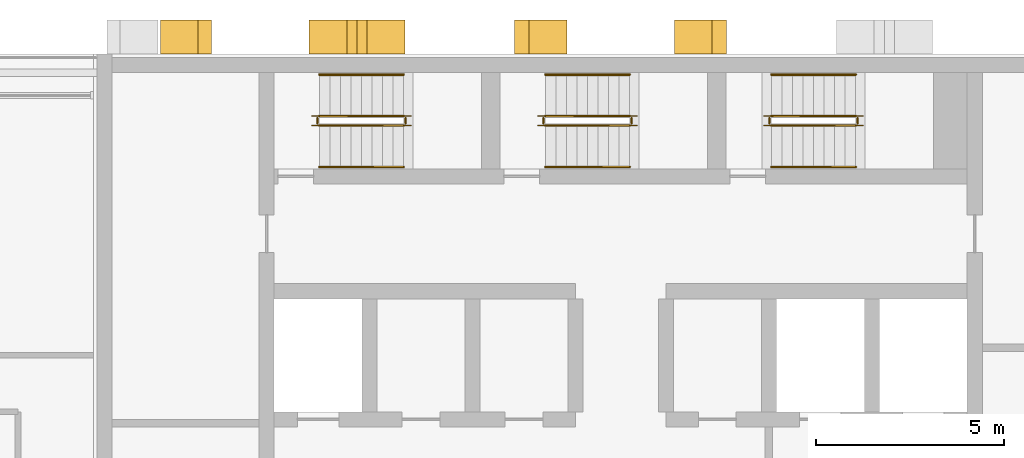
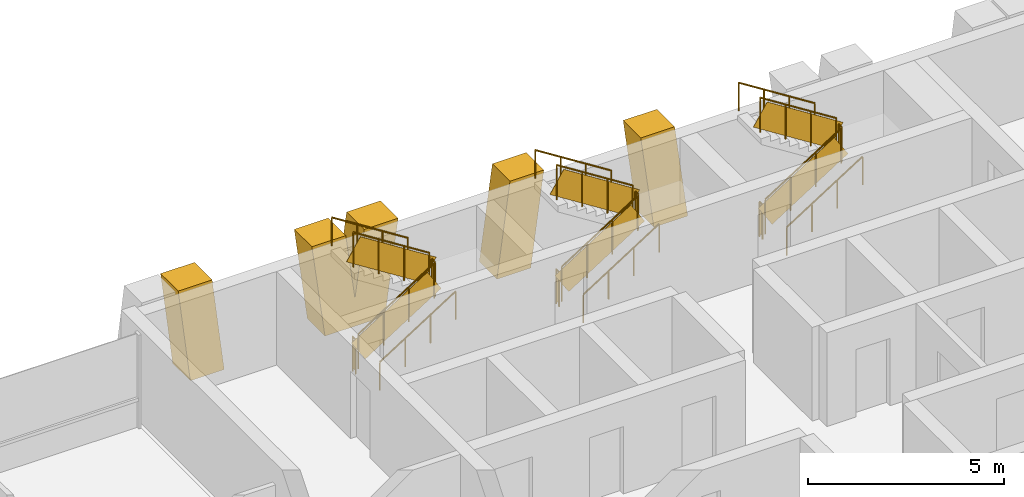
# One storey, part 15 of 16: 18 railings, 4 shading devices.
"""IFC4 building model written with IfcOpenShell, lengths in metres."""

import ifcopenshell
import ifcopenshell.guid

model = None  # the IFC model being written
_history = None  # IfcOwnerHistory: only IFC2X3 demands one
_inside = {}  # id of a spatial element -> (the spatial element, [elements in it])
_under = {}  # id of a project, library or spatial element -> (it, [spatial elements below it])
_declared = {}  # id of a project -> (the project, [libraries it declares])
_typed = {}  # id of a type object -> (the type object, [elements of that type])
_made_of = {}  # id of a material, layer set ... -> (it, [elements and type objects made of it])


def new_model(schema):
    """Start an empty IFC model of exactly this schema.

    Asked for "IFC4X3", IfcOpenShell would pick the latest addendum, in which some entities
    have other attributes; the version numbers below select the first issue.
    IFC2X3 requires an IfcOwnerHistory on every rooted entity: one is made here for all.
    """
    global model, _history
    if schema == "IFC4X3":
        model = ifcopenshell.file(schema_version=(4, 3, 0, 0))
    else:
        model = ifcopenshell.file(schema=schema)
    _inside.clear()
    _under.clear()
    _declared.clear()
    _typed.clear()
    _made_of.clear()
    _history = None
    if model.schema == "IFC2X3":
        org = make("IfcOrganization", Name="unknown")
        user = make(
            "IfcPersonAndOrganization",
            ThePerson=make("IfcPerson", FamilyName="unknown"),
            TheOrganization=org,
        )
        app = make(
            "IfcApplication",
            ApplicationDeveloper=org,
            Version="unknown",
            ApplicationFullName="unknown",
            ApplicationIdentifier="unknown",
        )
        _history = make(
            "IfcOwnerHistory",
            OwningUser=user,
            OwningApplication=app,
            ChangeAction="ADDED",
            CreationDate=0,
        )
    return model


def make(cls, **values):
    """One entity of the class cls with the attributes given. An attribute that is None is left unset."""
    return model.create_entity(
        cls, **{name: value for name, value in values.items() if value is not None}
    )


def rooted(cls, **values):
    """An entity with a GlobalId (a new one), such as an element, a storey or a relation."""
    return make(cls, GlobalId=ifcopenshell.guid.new(), OwnerHistory=_history, **values)


def si_unit(unit_type, name, prefix=None):
    """IfcSIUnit, for example si_unit("LENGTHUNIT", "METRE", prefix="MILLI")."""
    return make("IfcSIUnit", UnitType=unit_type, Prefix=prefix, Name=name)


def assignment(units):
    """IfcUnitAssignment: the units of a project."""
    return None if units is None else make("IfcUnitAssignment", Units=units)


def point(xyz):
    """IfcCartesianPoint."""
    return None if xyz is None else make("IfcCartesianPoint", Coordinates=xyz)


def direction(xyz):
    """IfcDirection."""
    return None if xyz is None else make("IfcDirection", DirectionRatios=xyz)


def frame(location, z_axis=None, x_axis=None):
    """IfcAxis2Placement3D, a coordinate frame: its origin and axes. An axis left out is left unset."""
    return make(
        "IfcAxis2Placement3D",
        Location=point(location),
        Axis=direction(z_axis),
        RefDirection=direction(x_axis),
    )


def frame_2d(location, x_axis=None):
    """IfcAxis2Placement2D, a coordinate frame in the plane: its origin and x axis."""
    return make(
        "IfcAxis2Placement2D", Location=point(location), RefDirection=direction(x_axis)
    )


def origin():
    """The frame at (0, 0, 0) with its axes left unset."""
    return frame((0.0, 0.0, 0.0))


def origin_2d():
    """The frame at (0, 0) in the plane with its x axis left unset."""
    return frame_2d((0.0, 0.0))


def place(relative_to, where):
    """IfcLocalPlacement: puts the frame where relative to a parent placement (None: the world)."""
    return make(
        "IfcLocalPlacement", PlacementRelTo=relative_to, RelativePlacement=where
    )


def context(
    kind, dimensions, precision=None, world=None, true_north=None, identifier=None
):
    """IfcGeometricRepresentationContext, for example the 3D "Model" context."""
    return make(
        "IfcGeometricRepresentationContext",
        ContextIdentifier=identifier,
        ContextType=kind,
        CoordinateSpaceDimension=dimensions,
        Precision=precision,
        WorldCoordinateSystem=world,
        TrueNorth=true_north,
    )


def subcontext(parent, identifier, kind, view, scale=None):
    """IfcGeometricRepresentationSubContext, for example "Body" below "Model"."""
    return make(
        "IfcGeometricRepresentationSubContext",
        ContextIdentifier=identifier,
        ContextType=kind,
        ParentContext=parent,
        TargetScale=scale,
        TargetView=view,
    )


def project(units=None, contexts=None):
    """IfcProject with its units and contexts."""
    return rooted(
        "IfcProject",
        Name="project",
        RepresentationContexts=contexts,
        UnitsInContext=assignment(units),
    )


def spatial(cls, under=None, at=None, **own):
    """A site, building, storey or space (cls), placed at a placement, below another one or the project."""
    s = rooted(cls, ObjectPlacement=at, **own)
    if under is not None:
        _under.setdefault(under.id(), (under, []))[1].append(s)
    return s


def polyline(points):
    """IfcPolyline through the points."""
    return make("IfcPolyline", Points=[point(p) for p in points])


def profile(cls, at=None, kind="AREA", **sizes):
    """A parametric profile (cls). Its sizes go by their IFC names, for example OverallWidth=200.0."""
    return make(cls, ProfileType=kind, Position=at, **sizes)


def rectangle(**sizes):
    """IfcRectangleProfileDef."""
    return profile("IfcRectangleProfileDef", **sizes)


def circle(**sizes):
    """IfcCircleProfileDef."""
    return profile("IfcCircleProfileDef", **sizes)


def outline(outer, holes=None, kind="AREA"):
    """IfcArbitraryClosedProfileDef: a profile drawn as a closed curve; with holes, ...WithVoids."""
    if holes is None:
        return make("IfcArbitraryClosedProfileDef", ProfileType=kind, OuterCurve=outer)
    return make(
        "IfcArbitraryProfileDefWithVoids",
        ProfileType=kind,
        OuterCurve=outer,
        InnerCurves=holes,
    )


def extrude(swept, where, along, depth):
    """IfcExtrudedAreaSolid: the profile swept, set in the frame where, extruded along a direction by depth."""
    return make(
        "IfcExtrudedAreaSolid",
        SweptArea=swept,
        Position=where,
        ExtrudedDirection=direction(along),
        Depth=depth,
    )


def shape(context_of_items, identifier, shape_type, items):
    """IfcShapeRepresentation: the items that make up one representation, for example the "Body"."""
    return make(
        "IfcShapeRepresentation",
        ContextOfItems=context_of_items,
        RepresentationIdentifier=identifier,
        RepresentationType=shape_type,
        Items=items,
    )


def material(Name=None, Category=None):
    """IfcMaterial."""
    return make("IfcMaterial", Name=Name, Category=Category)


def layer(
    of_material, thickness, ventilated=None, Name=None, Category=None, Priority=None
):
    """IfcMaterialLayer: one layer of a wall or slab, of a material (None: an air gap)."""
    return make(
        "IfcMaterialLayer",
        Material=of_material,
        LayerThickness=thickness,
        IsVentilated=ventilated,
        Name=Name,
        Category=Category,
        Priority=Priority,
    )


def layer_set(layers, Name=None):
    """IfcMaterialLayerSet."""
    return make("IfcMaterialLayerSet", MaterialLayers=layers, LayerSetName=Name)


def made_of(thing, what):
    """Note that an element or type object is made of a material, layer set ...; save() writes the relation."""
    if what is not None:
        _made_of.setdefault(what.id(), (what, []))[1].append(thing)
    return thing


def type_object(cls, material=None, **own):
    """A type object (cls), such as IfcWallType, which elements share."""
    return made_of(rooted(cls, **own), material)


def element(
    cls,
    number,
    at=None,
    inside=None,
    cuts=None,
    type_object=None,
    material=None,
    context=None,
    identifier="Body",
    shape_type=None,
    held_by="IfcProductDefinitionShape",
    body=None,
    shapes=None,
    **own,
):
    """One element of the class cls, such as IfcWall. Its Tag is "e" and its number.

    at: its placement. inside: the storey or other place that contains it. cuts: it is an
    opening in that element (IfcRelVoidsElement). A single representation is given by context,
    identifier, shape_type and body (its items); several are given by shapes. held_by: the class
    of the entity that holds the representations. save() writes the other relations.
    """
    e = rooted(cls, Tag="e%d" % number, ObjectPlacement=at, **own)
    if body is not None:
        shapes = [shape(context, identifier, shape_type, body)]
    if shapes is not None:
        e.Representation = make(held_by, Representations=shapes)
    if inside is not None:
        _inside.setdefault(inside.id(), (inside, []))[1].append(e)
    if cuts is not None:
        rooted(
            "IfcRelVoidsElement", RelatingBuildingElement=cuts, RelatedOpeningElement=e
        )
    if type_object is not None:
        _typed.setdefault(type_object.id(), (type_object, []))[1].append(e)
    return made_of(e, material)


def aggregate(whole, parts):
    """IfcRelAggregates: a whole, such as a stair, and the parts it consists of."""
    return rooted("IfcRelAggregates", RelatingObject=whole, RelatedObjects=parts)


def save(model, path):
    """Write the relations noted so far, then the file.

    IfcRelAggregates (storeys below a building ...), IfcRelContainedInSpatialStructure (elements
    in a storey), IfcRelDefinesByType, IfcRelAssociatesMaterial and IfcRelDeclares: one each for
    every whole, place, type object, material and project.
    """
    for whole, parts in _under.values():
        aggregate(whole, parts)
    for where, things in _inside.values():
        rooted(
            "IfcRelContainedInSpatialStructure",
            RelatedElements=things,
            RelatingStructure=where,
        )
    for kind, things in _typed.values():
        rooted("IfcRelDefinesByType", RelatedObjects=things, RelatingType=kind)
    for what, things in _made_of.values():
        rooted("IfcRelAssociatesMaterial", RelatedObjects=things, RelatingMaterial=what)
    for by, libraries in _declared.values():
        rooted("IfcRelDeclares", RelatingContext=by, RelatedDefinitions=libraries)
    model.write(path)


model = new_model("IFC4")

# Units and contexts
model_context = context("Model", 3, precision=1e-05, world=origin(), true_north=direction((0.0, 1.0)))
body_context = subcontext(model_context, "Body", "Model", "MODEL_VIEW")
ifc_project = project(units=[si_unit("LENGTHUNIT", "METRE"), si_unit("AREAUNIT", "SQUARE_METRE"), si_unit("VOLUMEUNIT", "CUBIC_METRE"), si_unit("PLANEANGLEUNIT", "RADIAN"), si_unit("MASSUNIT", "GRAM", prefix="KILO")], contexts=[model_context])

# Site, building, storey
site_placement = place(None, origin())
site = spatial("IfcSite", under=ifc_project, at=site_placement, CompositionType="ELEMENT")
building_placement = place(site_placement, origin())
building = spatial("IfcBuilding", under=site, at=building_placement, Name="Vidyagriha Tower", CompositionType="ELEMENT")
storey_placement = place(building_placement, frame((0.0, 0.0, 168.5)))
storey = spatial("IfcBuildingStorey", under=building, at=storey_placement, Name="L43", CompositionType="ELEMENT", Elevation=168.5)

# Shading devices
ifc_material_1 = material(Name="Precast concrete C40/50 with brick facing", Category="concrete")
ifc_layer_1 = layer(ifc_material_1, 1.0)
ifc_layer_set_1 = layer_set([ifc_layer_1], Name="Precast concrete C40/50 with brick facing")
shading_device_type_1 = type_object("IfcShadingDeviceType", Name="Brick-faced rear rib arm leaning 8 degrees", PredefinedType="USERDEFINED", material=ifc_layer_set_1)
shading_device_1_placement = place(storey_placement, frame((2.814208984375, 20.449951171875, 0.0), z_axis=(0.0, 0.0, 1.0), x_axis=(-1.0, 0.0, 0.0)))
element("IfcShadingDevice", 1, at=shading_device_1_placement, inside=storey, type_object=shading_device_type_1, Name="Rear rib arm L43 R08.3a", ObjectType="BLADE FIN", PredefinedType="USERDEFINED", context=body_context, shape_type="SweptSolid", body=[
    extrude(outline(polyline([(0.0, 0.0), (1.0, 0.0), (1.3857421875, 2.919921875), (0.3857421875, 2.919921875), (0.0, 0.0)])), frame((0.0, 0.449951171875, 0.0), z_axis=(0.0, -1.0, 0.0), x_axis=(1.0, 0.0, 0.0)), (0.0, 0.0, 1.0), 0.89990234375),
])
shading_device_2_placement = place(storey_placement, frame((-1.4287109375, 20.449951171875, 0.0), z_axis=(0.0, 0.0, 1.0), x_axis=(-1.0, 0.0, 0.0)))
element("IfcShadingDevice", 2, at=shading_device_2_placement, inside=storey, type_object=shading_device_type_1, Name="Rear rib arm L43 R08.3b", ObjectType="BLADE FIN", PredefinedType="USERDEFINED", context=body_context, shape_type="SweptSolid", body=[
    extrude(outline(polyline([(0.3857421875, 0.0), (1.3857421875, 0.0), (1.0, 2.919921875), (0.0, 2.919921875), (0.3857421875, 0.0)])), frame((0.0, 0.449951171875, 0.0), z_axis=(0.0, -1.0, 0.0), x_axis=(1.0, 0.0, 0.0)), (0.0, 0.0, 1.0), 0.89990234375),
])
shading_device_3_placement = place(storey_placement, frame((-10.857177734375, 20.449951171875, 0.0), z_axis=(0.0, 0.0, 1.0), x_axis=(-1.0, 0.0, 0.0)))
element("IfcShadingDevice", 3, at=shading_device_3_placement, inside=storey, type_object=shading_device_type_1, Name="Rear rib arm L43 R08.5a", ObjectType="BLADE FIN", PredefinedType="USERDEFINED", context=body_context, shape_type="SweptSolid", body=[
    extrude(outline(polyline([(0.0, 0.0), (1.0, 0.0), (1.357177734375, 2.919921875), (0.357177734375, 2.919921875), (0.0, 0.0)])), frame((0.0, 0.449951171875, 0.0), z_axis=(0.0, -1.0, 0.0), x_axis=(1.0, 0.0, 0.0)), (0.0, 0.0, 1.0), 0.89990234375),
])
ifc_material_2 = material(Name="Precast concrete C40/50 with brick facing", Category="concrete")
ifc_layer_2 = layer(ifc_material_2, 1.0)
ifc_layer_set_2 = layer_set([ifc_layer_2], Name="Precast concrete C40/50 with brick facing")
shading_device_type_2 = type_object("IfcShadingDeviceType", Name="Brick-faced rear rib forking 8 degrees", PredefinedType="USERDEFINED", material=ifc_layer_set_2)
shading_device_4_placement = place(storey_placement, frame((-5.728515625, 20.449951171875, 0.0), z_axis=(0.0, 0.0, 1.0), x_axis=(-1.0, 0.0, 0.0)))
element("IfcShadingDevice", 4, at=shading_device_4_placement, inside=storey, type_object=shading_device_type_2, Name="Rear rib fork L43 R08.4a", ObjectType="BLADE FIN", PredefinedType="USERDEFINED", context=body_context, shape_type="SweptSolid", body=[
    extrude(outline(polyline([(0.3857421875, 0.0), (2.156982421875, 0.0), (2.542724609375, 2.919921875), (1.542724609375, 2.919921875), (1.271484375, 0.865234375), (1.0, 2.919921875), (0.0, 2.919921875), (0.3857421875, 0.0)])), frame((0.0, 0.449951171875, 0.0), z_axis=(0.0, -1.0, 0.0), x_axis=(1.0, 0.0, 0.0)), (0.0, 0.0, 1.0), 0.89990234375),
])

# Railings
ifc_material_3 = material(Name="Steel ASTM A500 Grade C", Category="steel")
railing_type_1 = type_object("IfcRailingType", Name="Stair guard 1100 mm, steel balustrade", PredefinedType="GUARDRAIL", material=ifc_material_3)
railing_1_placement = place(storey_placement, frame((-8.0, 18.10009765625, 0.177734375)))
element("IfcRailing", 5, at=railing_1_placement, inside=storey, type_object=railing_type_1, Name="L43 ST1 stair guard 1", PredefinedType="GUARDRAIL", context=body_context, shape_type="SweptSolid", body=[
    extrude(circle(Radius=0.02392578125, at=origin_2d()), frame((0.0, 0.0, 1.076171875), z_axis=(0.84418770128, 0.0, 0.536047689118), x_axis=(0.0, 1.0, 0.0)), (0.0, 0.0, 1.0), 2.6533203125),
    extrude(circle(Radius=0.02099609375, at=origin_2d()), origin(), (0.0, 0.0, 1.0), 1.052001953125),
    extrude(circle(Radius=0.02099609375, at=origin_2d()), frame((0.74658203125, 0.0, 0.47412109375)), (0.0, 0.0, 1.0), 1.052001953125),
    extrude(circle(Radius=0.02099609375, at=origin_2d()), frame((1.493408203125, 0.0, 0.9482421875)), (0.0, 0.0, 1.0), 1.052001953125),
    extrude(circle(Radius=0.02099609375, at=origin_2d()), frame((2.239990234375, 0.0, 1.42236328125)), (0.0, 0.0, 1.0), 1.052001953125),
    extrude(rectangle(XDim=0.010009765625, YDim=0.761474609375, at=origin_2d()), frame((0.0, 0.0, 0.551025390625), z_axis=(0.84418770128, 0.0, 0.536047689118), x_axis=(0.0, 1.0, 0.0)), (0.0, 0.0, 1.0), 2.6533203125),
])
railing_2_placement = place(storey_placement, frame((-5.7099609375, 18.14990234375, 1.60009765625)))
element("IfcRailing", 6, at=railing_2_placement, inside=storey, type_object=railing_type_1, Name="L43 ST1 stair guard 2", PredefinedType="GUARDRAIL", context=body_context, shape_type="SweptSolid", body=[
    extrude(circle(Radius=0.02392578125, at=origin_2d()), frame((0.0, 0.0, 1.076171875), z_axis=(0.0, 1.0, 0.0), x_axis=(-1.0, 0.0, 0.0)), (0.0, 0.0, 1.0), 0.150146484375),
    extrude(circle(Radius=0.02099609375, at=origin_2d()), origin(), (0.0, 0.0, 1.0), 1.052001953125),
    extrude(circle(Radius=0.02099609375, at=origin_2d()), frame((0.0, 0.150146484375, 0.0)), (0.0, 0.0, 1.0), 1.052001953125),
    extrude(rectangle(XDim=0.010009765625, YDim=0.902099609375, at=origin_2d()), frame((0.0, 0.0, 0.551025390625), z_axis=(0.0, 1.0, 0.0), x_axis=(-1.0, 0.0, 0.0)), (0.0, 0.0, 1.0), 0.150146484375),
])
railing_3_placement = place(storey_placement, frame((-5.760009765625, 18.35009765625, 1.77783203125)))
element("IfcRailing", 7, at=railing_3_placement, inside=storey, type_object=railing_type_1, Name="L43 ST1 stair guard 3", PredefinedType="GUARDRAIL", context=body_context, shape_type="SweptSolid", body=[
    extrude(circle(Radius=0.02392578125, at=origin_2d()), frame((0.0, 0.0, 1.076171875), z_axis=(-0.8442293374, 0.0, 0.53598211339), x_axis=(0.0, -1.0, 0.0)), (0.0, 0.0, 1.0), 2.6533203125),
    extrude(circle(Radius=0.02099609375, at=origin_2d()), origin(), (0.0, 0.0, 1.0), 1.052001953125),
    extrude(circle(Radius=0.02099609375, at=origin_2d()), frame((-0.74658203125, 0.0, 0.47412109375)), (0.0, 0.0, 1.0), 1.052001953125),
    extrude(circle(Radius=0.02099609375, at=origin_2d()), frame((-1.493408203125, 0.0, 0.947998046875)), (0.0, 0.0, 1.0), 1.052001953125),
    extrude(circle(Radius=0.02099609375, at=origin_2d()), frame((-2.239990234375, 0.0, 1.422119140625)), (0.0, 0.0, 1.0), 1.052001953125),
    extrude(rectangle(XDim=0.010009765625, YDim=0.761474609375, at=origin_2d()), frame((0.0, 0.0, 0.551025390625), z_axis=(-0.8442293374, 0.0, 0.53598211339), x_axis=(0.0, -1.0, 0.0)), (0.0, 0.0, 1.0), 2.6533203125),
])
railing_4_placement = place(storey_placement, frame((-8.050048828125, 18.14990234375, 0.0)))
element("IfcRailing", 8, at=railing_4_placement, inside=storey, type_object=railing_type_1, Name="L43 ST1 stair guard 4", PredefinedType="GUARDRAIL", context=body_context, shape_type="SweptSolid", body=[
    extrude(circle(Radius=0.02392578125, at=origin_2d()), frame((0.0, 0.0, 1.076171875), z_axis=(0.0, 1.0, 0.0), x_axis=(-1.0, 0.0, 0.0)), (0.0, 0.0, 1.0), 0.150146484375),
    extrude(circle(Radius=0.02099609375, at=origin_2d()), origin(), (0.0, 0.0, 1.0), 1.052001953125),
    extrude(circle(Radius=0.02099609375, at=origin_2d()), frame((0.0, 0.150146484375, 0.0)), (0.0, 0.0, 1.0), 1.052001953125),
    extrude(rectangle(XDim=0.010009765625, YDim=0.902099609375, at=origin_2d()), frame((0.0, 0.0, 0.551025390625), z_axis=(0.0, 1.0, 0.0), x_axis=(-1.0, 0.0, 0.0)), (0.0, 0.0, 1.0), 0.150146484375),
])
railing_5_placement = place(storey_placement, frame((-2.0, 18.10009765625, 0.177734375)))
element("IfcRailing", 9, at=railing_5_placement, inside=storey, type_object=railing_type_1, Name="L43 ST2 stair guard 1", PredefinedType="GUARDRAIL", context=body_context, shape_type="SweptSolid", body=[
    extrude(circle(Radius=0.02392578125, at=origin_2d()), frame((0.0, 0.0, 1.076171875), z_axis=(0.84418770128, 0.0, 0.536047689118), x_axis=(0.0, 1.0, 0.0)), (0.0, 0.0, 1.0), 2.6533203125),
    extrude(circle(Radius=0.02099609375, at=origin_2d()), origin(), (0.0, 0.0, 1.0), 1.052001953125),
    extrude(circle(Radius=0.02099609375, at=origin_2d()), frame((0.74658203125, 0.0, 0.47412109375)), (0.0, 0.0, 1.0), 1.052001953125),
    extrude(circle(Radius=0.02099609375, at=origin_2d()), frame((1.493408203125, 0.0, 0.9482421875)), (0.0, 0.0, 1.0), 1.052001953125),
    extrude(circle(Radius=0.02099609375, at=origin_2d()), frame((2.239990234375, 0.0, 1.42236328125)), (0.0, 0.0, 1.0), 1.052001953125),
    extrude(rectangle(XDim=0.010009765625, YDim=0.761474609375, at=origin_2d()), frame((0.0, 0.0, 0.551025390625), z_axis=(0.84418770128, 0.0, 0.536047689118), x_axis=(0.0, 1.0, 0.0)), (0.0, 0.0, 1.0), 2.6533203125),
])
railing_6_placement = place(storey_placement, frame((0.2900390625, 18.14990234375, 1.60009765625)))
element("IfcRailing", 10, at=railing_6_placement, inside=storey, type_object=railing_type_1, Name="L43 ST2 stair guard 2", PredefinedType="GUARDRAIL", context=body_context, shape_type="SweptSolid", body=[
    extrude(circle(Radius=0.02392578125, at=origin_2d()), frame((0.0, 0.0, 1.076171875), z_axis=(0.0, 1.0, 0.0), x_axis=(-1.0, 0.0, 0.0)), (0.0, 0.0, 1.0), 0.150146484375),
    extrude(circle(Radius=0.02099609375, at=origin_2d()), origin(), (0.0, 0.0, 1.0), 1.052001953125),
    extrude(circle(Radius=0.02099609375, at=origin_2d()), frame((0.0, 0.150146484375, 0.0)), (0.0, 0.0, 1.0), 1.052001953125),
    extrude(rectangle(XDim=0.010009765625, YDim=0.902099609375, at=origin_2d()), frame((0.0, 0.0, 0.551025390625), z_axis=(0.0, 1.0, 0.0), x_axis=(-1.0, 0.0, 0.0)), (0.0, 0.0, 1.0), 0.150146484375),
])
railing_7_placement = place(storey_placement, frame((0.239990234375, 18.35009765625, 1.77783203125)))
element("IfcRailing", 11, at=railing_7_placement, inside=storey, type_object=railing_type_1, Name="L43 ST2 stair guard 3", PredefinedType="GUARDRAIL", context=body_context, shape_type="SweptSolid", body=[
    extrude(circle(Radius=0.02392578125, at=origin_2d()), frame((0.0, 0.0, 1.076171875), z_axis=(-0.8442293374, 0.0, 0.53598211339), x_axis=(0.0, -1.0, 0.0)), (0.0, 0.0, 1.0), 2.6533203125),
    extrude(circle(Radius=0.02099609375, at=origin_2d()), origin(), (0.0, 0.0, 1.0), 1.052001953125),
    extrude(circle(Radius=0.02099609375, at=origin_2d()), frame((-0.74658203125, 0.0, 0.47412109375)), (0.0, 0.0, 1.0), 1.052001953125),
    extrude(circle(Radius=0.02099609375, at=origin_2d()), frame((-1.493408203125, 0.0, 0.947998046875)), (0.0, 0.0, 1.0), 1.052001953125),
    extrude(circle(Radius=0.02099609375, at=origin_2d()), frame((-2.239990234375, 0.0, 1.422119140625)), (0.0, 0.0, 1.0), 1.052001953125),
    extrude(rectangle(XDim=0.010009765625, YDim=0.761474609375, at=origin_2d()), frame((0.0, 0.0, 0.551025390625), z_axis=(-0.8442293374, 0.0, 0.53598211339), x_axis=(0.0, -1.0, 0.0)), (0.0, 0.0, 1.0), 2.6533203125),
])
railing_8_placement = place(storey_placement, frame((-2.050048828125, 18.14990234375, 0.0)))
element("IfcRailing", 12, at=railing_8_placement, inside=storey, type_object=railing_type_1, Name="L43 ST2 stair guard 4", PredefinedType="GUARDRAIL", context=body_context, shape_type="SweptSolid", body=[
    extrude(circle(Radius=0.02392578125, at=origin_2d()), frame((0.0, 0.0, 1.076171875), z_axis=(0.0, 1.0, 0.0), x_axis=(-1.0, 0.0, 0.0)), (0.0, 0.0, 1.0), 0.150146484375),
    extrude(circle(Radius=0.02099609375, at=origin_2d()), origin(), (0.0, 0.0, 1.0), 1.052001953125),
    extrude(circle(Radius=0.02099609375, at=origin_2d()), frame((0.0, 0.150146484375, 0.0)), (0.0, 0.0, 1.0), 1.052001953125),
    extrude(rectangle(XDim=0.010009765625, YDim=0.902099609375, at=origin_2d()), frame((0.0, 0.0, 0.551025390625), z_axis=(0.0, 1.0, 0.0), x_axis=(-1.0, 0.0, 0.0)), (0.0, 0.0, 1.0), 0.150146484375),
])
railing_9_placement = place(storey_placement, frame((4.0, 18.10009765625, 0.177734375)))
element("IfcRailing", 13, at=railing_9_placement, inside=storey, type_object=railing_type_1, Name="L43 ST3 stair guard 1", PredefinedType="GUARDRAIL", context=body_context, shape_type="SweptSolid", body=[
    extrude(circle(Radius=0.02392578125, at=origin_2d()), frame((0.0, 0.0, 1.076171875), z_axis=(0.84418770128, 0.0, 0.536047689118), x_axis=(0.0, 1.0, 0.0)), (0.0, 0.0, 1.0), 2.6533203125),
    extrude(circle(Radius=0.02099609375, at=origin_2d()), origin(), (0.0, 0.0, 1.0), 1.052001953125),
    extrude(circle(Radius=0.02099609375, at=origin_2d()), frame((0.74658203125, 0.0, 0.47412109375)), (0.0, 0.0, 1.0), 1.052001953125),
    extrude(circle(Radius=0.02099609375, at=origin_2d()), frame((1.493408203125, 0.0, 0.9482421875)), (0.0, 0.0, 1.0), 1.052001953125),
    extrude(circle(Radius=0.02099609375, at=origin_2d()), frame((2.239990234375, 0.0, 1.42236328125)), (0.0, 0.0, 1.0), 1.052001953125),
    extrude(rectangle(XDim=0.010009765625, YDim=0.761474609375, at=origin_2d()), frame((0.0, 0.0, 0.551025390625), z_axis=(0.84418770128, 0.0, 0.536047689118), x_axis=(0.0, 1.0, 0.0)), (0.0, 0.0, 1.0), 2.6533203125),
])
railing_10_placement = place(storey_placement, frame((6.2900390625, 18.14990234375, 1.60009765625)))
element("IfcRailing", 14, at=railing_10_placement, inside=storey, type_object=railing_type_1, Name="L43 ST3 stair guard 2", PredefinedType="GUARDRAIL", context=body_context, shape_type="SweptSolid", body=[
    extrude(circle(Radius=0.02392578125, at=origin_2d()), frame((0.0, 0.0, 1.076171875), z_axis=(0.0, 1.0, 0.0), x_axis=(-1.0, 0.0, 0.0)), (0.0, 0.0, 1.0), 0.150146484375),
    extrude(circle(Radius=0.02099609375, at=origin_2d()), origin(), (0.0, 0.0, 1.0), 1.052001953125),
    extrude(circle(Radius=0.02099609375, at=origin_2d()), frame((0.0, 0.150146484375, 0.0)), (0.0, 0.0, 1.0), 1.052001953125),
    extrude(rectangle(XDim=0.010009765625, YDim=0.902099609375, at=origin_2d()), frame((0.0, 0.0, 0.551025390625), z_axis=(0.0, 1.0, 0.0), x_axis=(-1.0, 0.0, 0.0)), (0.0, 0.0, 1.0), 0.150146484375),
])
railing_11_placement = place(storey_placement, frame((6.239990234375, 18.35009765625, 1.77783203125)))
element("IfcRailing", 15, at=railing_11_placement, inside=storey, type_object=railing_type_1, Name="L43 ST3 stair guard 3", PredefinedType="GUARDRAIL", context=body_context, shape_type="SweptSolid", body=[
    extrude(circle(Radius=0.02392578125, at=origin_2d()), frame((0.0, 0.0, 1.076171875), z_axis=(-0.8442293374, 0.0, 0.53598211339), x_axis=(0.0, -1.0, 0.0)), (0.0, 0.0, 1.0), 2.6533203125),
    extrude(circle(Radius=0.02099609375, at=origin_2d()), origin(), (0.0, 0.0, 1.0), 1.052001953125),
    extrude(circle(Radius=0.02099609375, at=origin_2d()), frame((-0.74658203125, 0.0, 0.47412109375)), (0.0, 0.0, 1.0), 1.052001953125),
    extrude(circle(Radius=0.02099609375, at=origin_2d()), frame((-1.493408203125, 0.0, 0.947998046875)), (0.0, 0.0, 1.0), 1.052001953125),
    extrude(circle(Radius=0.02099609375, at=origin_2d()), frame((-2.239990234375, 0.0, 1.422119140625)), (0.0, 0.0, 1.0), 1.052001953125),
    extrude(rectangle(XDim=0.010009765625, YDim=0.761474609375, at=origin_2d()), frame((0.0, 0.0, 0.551025390625), z_axis=(-0.8442293374, 0.0, 0.53598211339), x_axis=(0.0, -1.0, 0.0)), (0.0, 0.0, 1.0), 2.6533203125),
])
railing_12_placement = place(storey_placement, frame((3.949951171875, 18.14990234375, 0.0)))
element("IfcRailing", 16, at=railing_12_placement, inside=storey, type_object=railing_type_1, Name="L43 ST3 stair guard 4", PredefinedType="GUARDRAIL", context=body_context, shape_type="SweptSolid", body=[
    extrude(circle(Radius=0.02392578125, at=origin_2d()), frame((0.0, 0.0, 1.076171875), z_axis=(0.0, 1.0, 0.0), x_axis=(-1.0, 0.0, 0.0)), (0.0, 0.0, 1.0), 0.150146484375),
    extrude(circle(Radius=0.02099609375, at=origin_2d()), origin(), (0.0, 0.0, 1.0), 1.052001953125),
    extrude(circle(Radius=0.02099609375, at=origin_2d()), frame((0.0, 0.150146484375, 0.0)), (0.0, 0.0, 1.0), 1.052001953125),
    extrude(rectangle(XDim=0.010009765625, YDim=0.902099609375, at=origin_2d()), frame((0.0, 0.0, 0.551025390625), z_axis=(0.0, 1.0, 0.0), x_axis=(-1.0, 0.0, 0.0)), (0.0, 0.0, 1.0), 0.150146484375),
])
ifc_material_4 = material(Name="Steel ASTM A500 Grade C", Category="steel")
railing_type_2 = type_object("IfcRailingType", Name="Stair handrail 900 mm, steel", PredefinedType="HANDRAIL", material=ifc_material_4)
railing_13_placement = place(storey_placement, frame((-8.0, 17.0, 0.177734375)))
element("IfcRailing", 17, at=railing_13_placement, inside=storey, type_object=railing_type_2, Name="L43 ST1 stair handrail 1", PredefinedType="HANDRAIL", context=body_context, shape_type="SweptSolid", body=[
    extrude(circle(Radius=0.02392578125, at=origin_2d()), frame((0.0, 0.0, 0.8759765625), z_axis=(0.84418770128, 0.0, 0.536047689118), x_axis=(0.0, 1.0, 0.0)), (0.0, 0.0, 1.0), 2.6533203125),
    extrude(circle(Radius=0.02099609375, at=origin_2d()), origin(), (0.0, 0.0, 1.0), 0.851806640625),
    extrude(circle(Radius=0.02099609375, at=origin_2d()), frame((0.74658203125, 0.0, 0.47412109375)), (0.0, 0.0, 1.0), 0.851806640625),
    extrude(circle(Radius=0.02099609375, at=origin_2d()), frame((1.493408203125, 0.0, 0.9482421875)), (0.0, 0.0, 1.0), 0.851806640625),
    extrude(circle(Radius=0.02099609375, at=origin_2d()), frame((2.239990234375, 0.0, 1.42236328125)), (0.0, 0.0, 1.0), 0.851806640625),
])
railing_14_placement = place(storey_placement, frame((-5.760009765625, 19.449951171875, 1.77783203125)))
element("IfcRailing", 18, at=railing_14_placement, inside=storey, type_object=railing_type_2, Name="L43 ST1 stair handrail 2", PredefinedType="HANDRAIL", context=body_context, shape_type="SweptSolid", body=[
    extrude(circle(Radius=0.02392578125, at=origin_2d()), frame((0.0, 0.0, 0.8759765625), z_axis=(-0.8442293374, 0.0, 0.53598211339), x_axis=(0.0, -1.0, 0.0)), (0.0, 0.0, 1.0), 2.6533203125),
    extrude(circle(Radius=0.02099609375, at=origin_2d()), origin(), (0.0, 0.0, 1.0), 0.851806640625),
    extrude(circle(Radius=0.02099609375, at=origin_2d()), frame((-0.74658203125, 0.0, 0.47412109375)), (0.0, 0.0, 1.0), 0.851806640625),
    extrude(circle(Radius=0.02099609375, at=origin_2d()), frame((-1.493408203125, 0.0, 0.947998046875)), (0.0, 0.0, 1.0), 0.851806640625),
    extrude(circle(Radius=0.02099609375, at=origin_2d()), frame((-2.239990234375, 0.0, 1.422119140625)), (0.0, 0.0, 1.0), 0.851806640625),
])
railing_15_placement = place(storey_placement, frame((-2.0, 17.0, 0.177734375)))
element("IfcRailing", 19, at=railing_15_placement, inside=storey, type_object=railing_type_2, Name="L43 ST2 stair handrail 1", PredefinedType="HANDRAIL", context=body_context, shape_type="SweptSolid", body=[
    extrude(circle(Radius=0.02392578125, at=origin_2d()), frame((0.0, 0.0, 0.8759765625), z_axis=(0.84418770128, 0.0, 0.536047689118), x_axis=(0.0, 1.0, 0.0)), (0.0, 0.0, 1.0), 2.6533203125),
    extrude(circle(Radius=0.02099609375, at=origin_2d()), origin(), (0.0, 0.0, 1.0), 0.851806640625),
    extrude(circle(Radius=0.02099609375, at=origin_2d()), frame((0.74658203125, 0.0, 0.47412109375)), (0.0, 0.0, 1.0), 0.851806640625),
    extrude(circle(Radius=0.02099609375, at=origin_2d()), frame((1.493408203125, 0.0, 0.9482421875)), (0.0, 0.0, 1.0), 0.851806640625),
    extrude(circle(Radius=0.02099609375, at=origin_2d()), frame((2.239990234375, 0.0, 1.42236328125)), (0.0, 0.0, 1.0), 0.851806640625),
])
railing_16_placement = place(storey_placement, frame((0.239990234375, 19.449951171875, 1.77783203125)))
element("IfcRailing", 20, at=railing_16_placement, inside=storey, type_object=railing_type_2, Name="L43 ST2 stair handrail 2", PredefinedType="HANDRAIL", context=body_context, shape_type="SweptSolid", body=[
    extrude(circle(Radius=0.02392578125, at=origin_2d()), frame((0.0, 0.0, 0.8759765625), z_axis=(-0.8442293374, 0.0, 0.53598211339), x_axis=(0.0, -1.0, 0.0)), (0.0, 0.0, 1.0), 2.6533203125),
    extrude(circle(Radius=0.02099609375, at=origin_2d()), origin(), (0.0, 0.0, 1.0), 0.851806640625),
    extrude(circle(Radius=0.02099609375, at=origin_2d()), frame((-0.74658203125, 0.0, 0.47412109375)), (0.0, 0.0, 1.0), 0.851806640625),
    extrude(circle(Radius=0.02099609375, at=origin_2d()), frame((-1.493408203125, 0.0, 0.947998046875)), (0.0, 0.0, 1.0), 0.851806640625),
    extrude(circle(Radius=0.02099609375, at=origin_2d()), frame((-2.239990234375, 0.0, 1.422119140625)), (0.0, 0.0, 1.0), 0.851806640625),
])
railing_17_placement = place(storey_placement, frame((4.0, 17.0, 0.177734375)))
element("IfcRailing", 21, at=railing_17_placement, inside=storey, type_object=railing_type_2, Name="L43 ST3 stair handrail 1", PredefinedType="HANDRAIL", context=body_context, shape_type="SweptSolid", body=[
    extrude(circle(Radius=0.02392578125, at=origin_2d()), frame((0.0, 0.0, 0.8759765625), z_axis=(0.84418770128, 0.0, 0.536047689118), x_axis=(0.0, 1.0, 0.0)), (0.0, 0.0, 1.0), 2.6533203125),
    extrude(circle(Radius=0.02099609375, at=origin_2d()), origin(), (0.0, 0.0, 1.0), 0.851806640625),
    extrude(circle(Radius=0.02099609375, at=origin_2d()), frame((0.74658203125, 0.0, 0.47412109375)), (0.0, 0.0, 1.0), 0.851806640625),
    extrude(circle(Radius=0.02099609375, at=origin_2d()), frame((1.493408203125, 0.0, 0.9482421875)), (0.0, 0.0, 1.0), 0.851806640625),
    extrude(circle(Radius=0.02099609375, at=origin_2d()), frame((2.239990234375, 0.0, 1.42236328125)), (0.0, 0.0, 1.0), 0.851806640625),
])
railing_18_placement = place(storey_placement, frame((6.239990234375, 19.449951171875, 1.77783203125)))
element("IfcRailing", 22, at=railing_18_placement, inside=storey, type_object=railing_type_2, Name="L43 ST3 stair handrail 2", PredefinedType="HANDRAIL", context=body_context, shape_type="SweptSolid", body=[
    extrude(circle(Radius=0.02392578125, at=origin_2d()), frame((0.0, 0.0, 0.8759765625), z_axis=(-0.8442293374, 0.0, 0.53598211339), x_axis=(0.0, -1.0, 0.0)), (0.0, 0.0, 1.0), 2.6533203125),
    extrude(circle(Radius=0.02099609375, at=origin_2d()), origin(), (0.0, 0.0, 1.0), 0.851806640625),
    extrude(circle(Radius=0.02099609375, at=origin_2d()), frame((-0.74658203125, 0.0, 0.47412109375)), (0.0, 0.0, 1.0), 0.851806640625),
    extrude(circle(Radius=0.02099609375, at=origin_2d()), frame((-1.493408203125, 0.0, 0.947998046875)), (0.0, 0.0, 1.0), 0.851806640625),
    extrude(circle(Radius=0.02099609375, at=origin_2d()), frame((-2.239990234375, 0.0, 1.422119140625)), (0.0, 0.0, 1.0), 0.851806640625),
])

save(model, "model.ifc")
